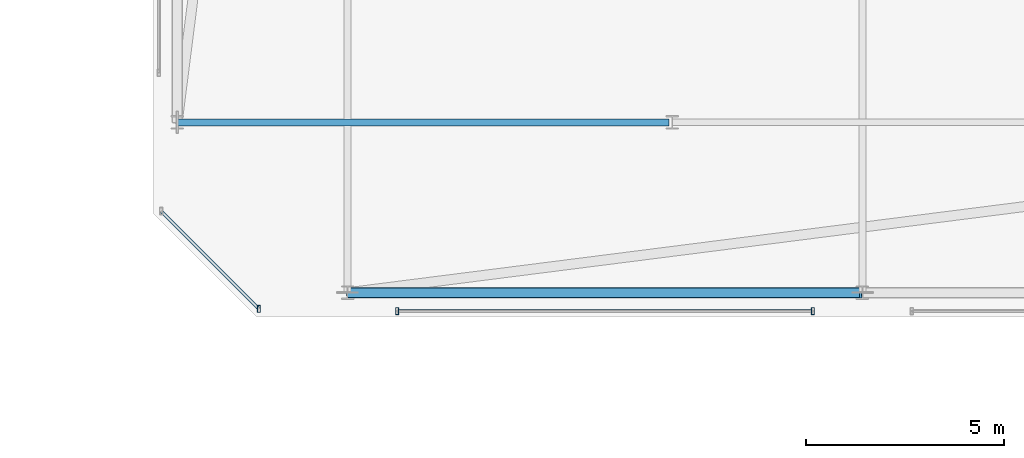
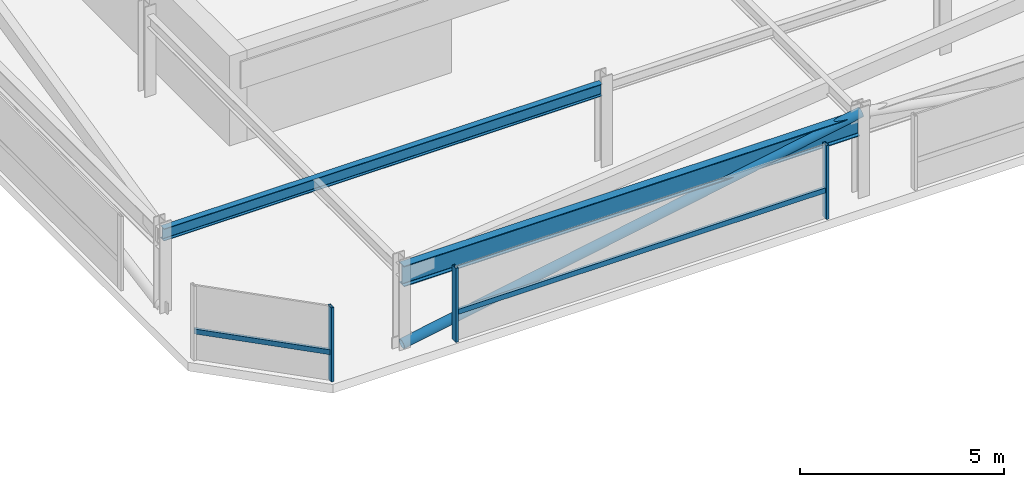
# One storey, part 27 of 42: 6 members, 2 beams, 2 elements without a shape of their own.
"""IFC4 building model written with IfcOpenShell, lengths in metres."""

from ifc_helpers import new_model, si_unit, direction, frame, origin, origin_2d, place, context, subcontext, project, spatial, hollow_rectangle, hollow_circle, i_section, extrude, material, material_profile, profile_set, type_object, element, aggregate, save


model = new_model("IFC4")

# Units and contexts
model_context = context("Model", 3, precision=1e-05, world=origin(), true_north=direction((0.0, 1.0)))
body_context = subcontext(model_context, "Body", "Model", "MODEL_VIEW")
ifc_project = project(units=[si_unit("LENGTHUNIT", "METRE"), si_unit("AREAUNIT", "SQUARE_METRE"), si_unit("VOLUMEUNIT", "CUBIC_METRE"), si_unit("PLANEANGLEUNIT", "RADIAN"), si_unit("MASSUNIT", "GRAM", prefix="KILO")], contexts=[model_context])

# Site, building, storey
site_placement = place(None, origin())
site = spatial("IfcSite", under=ifc_project, at=site_placement, CompositionType="ELEMENT")
building_placement = place(site_placement, origin())
building = spatial("IfcBuilding", under=site, at=building_placement, Name="Thornwick Lancets Civic Towers", CompositionType="ELEMENT")
storey_placement = place(building_placement, frame((0.0, 0.0, 286.800048828125)))
storey = spatial("IfcBuildingStorey", under=building, at=storey_placement, Name="C03", CompositionType="ELEMENT", Elevation=286.800048828125)

# Beams
ifc_material_1 = material(Name="Steel S355JR", Category="steel")
ifc_material_profile_1 = material_profile(ifc_material_1, i_section(OverallWidth=0.230224609375, OverallDepth=0.6171875, WebThickness=0.01318359375, FlangeThickness=0.022216796875, FilletRadius=0.0126953125, at=origin_2d()), Name="UKB 610x229x140")
ifc_profile_set_1 = profile_set([ifc_material_profile_1], Name="Steel S355JR")
beam_type_1 = type_object("IfcBeamType", Name="BM_GIRD_610_140", PredefinedType="BEAM", material=ifc_profile_set_1)
beam_1_placement = place(storey_placement, frame((88.419921875, 9.699951171875, 2.13134765625), z_axis=(-1.0, 0.0, 0.0), x_axis=(0.0, -1.0, 0.0)))
element("IfcBeam", 1, at=beam_1_placement, inside=storey, type_object=beam_type_1, Name="BM-SPINE-C03-B-10-11", PredefinedType="BEAM", context=body_context, shape_type="SweptSolid", body=[
    extrude(i_section(OverallWidth=0.230224609375, OverallDepth=0.6171875, WebThickness=0.01318359375, FlangeThickness=0.022216796875, FilletRadius=0.0126953125, at=origin_2d()), origin(), (0.0, 0.0, 1.0), 12.919921875),
])
ifc_material_profile_2 = material_profile(ifc_material_1, i_section(OverallWidth=0.173095703125, OverallDepth=0.36328125, WebThickness=0.009033203125, FlangeThickness=0.015625, FilletRadius=0.01025390625, at=origin_2d()), Name="UKB 356x171x67")
ifc_profile_set_2 = profile_set([ifc_material_profile_2], Name="Steel S355JR")
beam_type_2 = type_object("IfcBeamType", Name="BM_JOIST_356_67", PredefinedType="JOIST", material=ifc_profile_set_2)
beam_2_placement = place(storey_placement, frame((83.6201171875, 14.0, 2.25830078125), z_axis=(-1.0, 0.0, 0.0), x_axis=(0.0, -1.0, 0.0)))
element("IfcBeam", 2, at=beam_2_placement, inside=storey, type_object=beam_type_2, Name="BM-RADIN-C03-B07", PredefinedType="JOIST", context=body_context, shape_type="SweptSolid", body=[
    extrude(i_section(OverallWidth=0.173095703125, OverallDepth=0.36328125, WebThickness=0.009033203125, FlangeThickness=0.015625, FilletRadius=0.01025390625, at=origin_2d()), origin(), (0.0, 0.0, 1.0), 12.420166015625),
])

# Curtain wall, members
ifc_material_2 = material(Name="Crown ring acoustic-louvre and glazing screen wall", Category="glass")
curtain_wall_type = type_object("IfcCurtainWallType", Name="CW_SYS_07", PredefinedType="NOTDEFINED", material=ifc_material_2)
curtain_wall_1_placement = place(storey_placement, origin())
curtain_wall_1 = element("IfcCurtainWall", 3, at=curtain_wall_1_placement, inside=storey, type_object=curtain_wall_type, Name="C03 Curtain Wall CW-C03-B-E0-S1", PredefinedType="NOTDEFINED")
ifc_material_3 = material(Name="Thermally broken bronze aluminium S355", Category="steel")
ifc_material_profile_3 = material_profile(ifc_material_3, hollow_rectangle(XDim=0.074951171875, YDim=0.179931640625, WallThickness=0.006103515625, at=origin_2d()), Name="RHS 180x75x6")
ifc_profile_set_3 = profile_set([ifc_material_profile_3], Name="Thermally broken bronze aluminium S355")
member_type_1 = type_object("IfcMemberType", Name="CW_MUL_180", PredefinedType="MULLION", material=ifc_profile_set_3)
member_1_placement = place(storey_placement, frame((76.75, 9.2353515625, 0.0), z_axis=(0.0, 0.0, 1.0), x_axis=(1.0, 0.0, 0.0)))
member_1 = element("IfcMember", 4, at=member_1_placement, type_object=member_type_1, Name="CW-C03-B-E0-S1 Mullion 0", PredefinedType="MULLION", context=body_context, shape_type="SweptSolid", body=[
    extrude(hollow_rectangle(XDim=0.074951171875, YDim=0.179931640625, WallThickness=0.006103515625, at=origin_2d()), origin(), (0.0, 0.0, 1.0), 2.219970703125),
])
member_2_placement = place(storey_placement, frame((87.25, 9.2353515625, 0.0), z_axis=(0.0, 0.0, 1.0), x_axis=(1.0, 0.0, 0.0)))
member_2 = element("IfcMember", 5, at=member_2_placement, type_object=member_type_1, Name="CW-C03-B-E0-S1 Mullion 1", PredefinedType="MULLION", context=body_context, shape_type="SweptSolid", body=[
    extrude(hollow_rectangle(XDim=0.074951171875, YDim=0.179931640625, WallThickness=0.006103515625, at=origin_2d()), origin(), (0.0, 0.0, 1.0), 2.219970703125),
])

# Curtain wall, member
curtain_wall_2_placement = place(storey_placement, origin())
curtain_wall_2 = element("IfcCurtainWall", 6, at=curtain_wall_2_placement, inside=storey, type_object=curtain_wall_type, Name="C03 Curtain Wall CW-C03-B-E7", PredefinedType="NOTDEFINED")
member_3_placement = place(storey_placement, frame((73.261962890625, 9.2919921875, 0.0), z_axis=(0.0, 0.0, 1.0), x_axis=(1.0, 0.0, 0.0)))
member_3 = element("IfcMember", 7, at=member_3_placement, type_object=member_type_1, Name="CW-C03-B-E7 Mullion 1", PredefinedType="MULLION", context=body_context, shape_type="SweptSolid", body=[
    extrude(hollow_rectangle(XDim=0.074951171875, YDim=0.179931640625, WallThickness=0.006103515625, at=origin_2d()), origin(), (0.0, 0.0, 1.0), 2.219970703125),
])

# Member
ifc_material_profile_4 = material_profile(ifc_material_3, hollow_rectangle(XDim=0.074951171875, YDim=0.14990234375, WallThickness=0.0048828125, at=origin_2d()), Name="RHS 150x75x5")
ifc_profile_set_4 = profile_set([ifc_material_profile_4], Name="Thermally broken bronze aluminium S355")
member_type_2 = type_object("IfcMemberType", Name="CW_TRN_150", PredefinedType="USERDEFINED", material=ifc_profile_set_4)
member_4_placement = place(storey_placement, frame((76.77001953125, 9.2353515625, 0.849853515625), z_axis=(1.0, 0.0, 0.0), x_axis=(0.0, 1.0, 0.0)))
member_4 = element("IfcMember", 8, at=member_4_placement, type_object=member_type_2, Name="CW-C03-B-E0-S1 Transom 0", ObjectType="TRANSOM", PredefinedType="USERDEFINED", context=body_context, shape_type="SweptSolid", body=[
    extrude(hollow_rectangle(XDim=0.074951171875, YDim=0.14990234375, WallThickness=0.0048828125, at=origin_2d()), origin(), (0.0, 0.0, 1.0), 10.4599609375),
])

aggregate(curtain_wall_1, [member_1, member_2, member_4])

member_5_placement = place(storey_placement, frame((70.80615234375, 11.747802734375, 0.849853515625), z_axis=(0.707106781187, -0.707106781187, 0.0), x_axis=(0.707106781187, 0.707106781187, 0.0)))
member_5 = element("IfcMember", 9, at=member_5_placement, type_object=member_type_2, Name="CW-C03-B-E7 Transom 0", ObjectType="TRANSOM", PredefinedType="USERDEFINED", context=body_context, shape_type="SweptSolid", body=[
    extrude(hollow_rectangle(XDim=0.074951171875, YDim=0.14990234375, WallThickness=0.0048828125, at=origin_2d()), origin(), (0.0, 0.0, 1.0), 3.453125),
])

aggregate(curtain_wall_2, [member_3, member_5])

ifc_material_profile_5 = material_profile(ifc_material_1, hollow_circle(Radius=0.136474609375, WallThickness=0.012451171875, at=origin_2d()), Name="CHS 273x12.5")
ifc_profile_set_5 = profile_set([ifc_material_profile_5], Name="Steel S355JR")
member_type_3 = type_object("IfcMemberType", Name="MEM_CROWN_CHS273", PredefinedType="BRACE", material=ifc_profile_set_5)
member_6_placement = place(storey_placement, frame((75.5, 9.699951171875, 0.050048828125), z_axis=(0.98351842104, 0.0, 0.180807951915), x_axis=(0.0, 1.0, 0.0)))
element("IfcMember", 10, at=member_6_placement, inside=storey, type_object=member_type_3, Name="C03 Crown Ring Lancet Rib B-S3-R", PredefinedType="BRACE", context=body_context, shape_type="SweptSolid", body=[
    extrude(hollow_circle(Radius=0.136474609375, WallThickness=0.012451171875, at=origin_2d()), origin(), (0.0, 0.0, 1.0), 13.2177734375),
])

save(model, "model.ifc")
